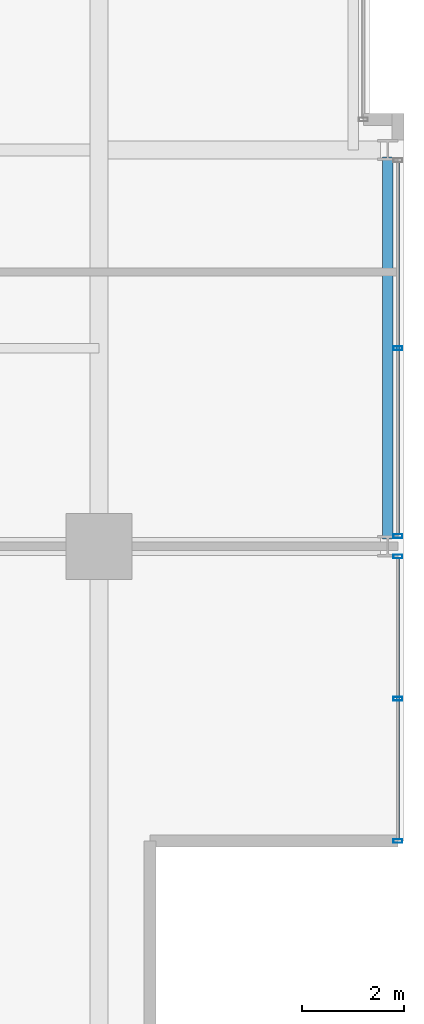
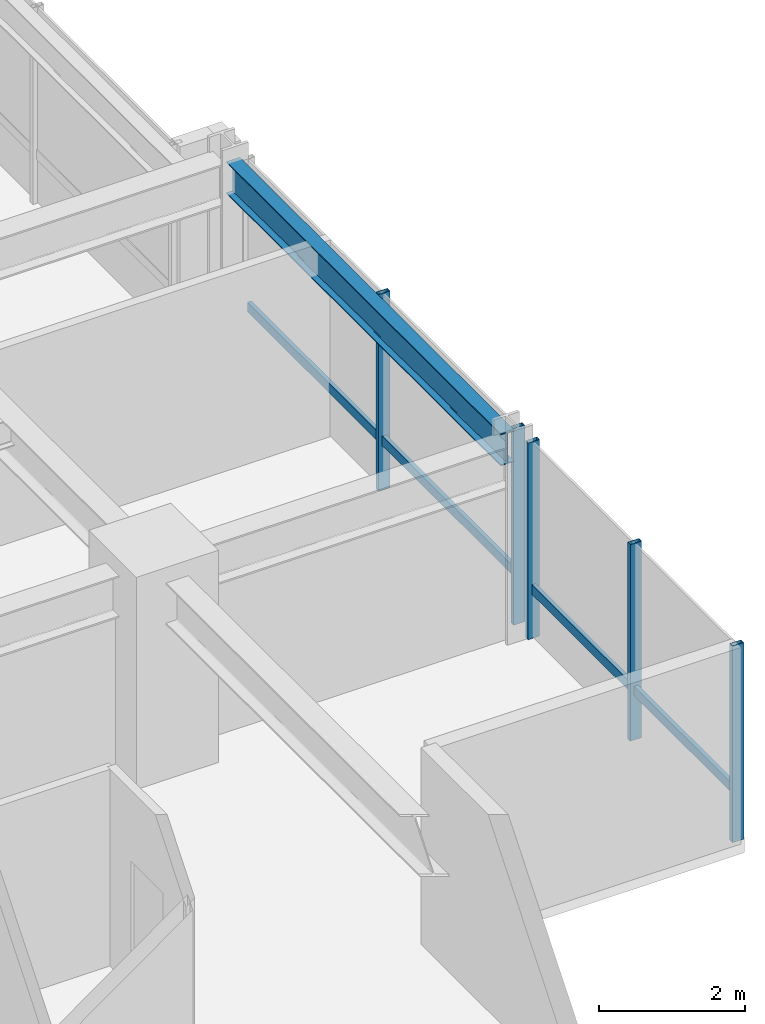
# One storey, part 13 of 33: 7 members, 1 beam, 2 elements without a shape of their own.
"""IFC4 building model written with IfcOpenShell, lengths in metres."""

from ifc_helpers import new_model, si_unit, direction, frame, origin, origin_2d, place, context, subcontext, project, spatial, hollow_rectangle, i_section, extrude, material, layer, layer_set, material_profile, profile_set, type_object, element, aggregate, save


model = new_model("IFC4")

# Units and contexts
model_context = context("Model", 3, precision=1e-05, world=origin(), true_north=direction((0.0, 1.0)))
body_context = subcontext(model_context, "Body", "Model", "MODEL_VIEW")
ifc_project = project(units=[si_unit("LENGTHUNIT", "METRE"), si_unit("AREAUNIT", "SQUARE_METRE"), si_unit("VOLUMEUNIT", "CUBIC_METRE"), si_unit("PLANEANGLEUNIT", "RADIAN"), si_unit("MASSUNIT", "GRAM", prefix="KILO")], contexts=[model_context])

# Site, building, storey
site_placement = place(None, origin())
site = spatial("IfcSite", under=ifc_project, at=site_placement, CompositionType="ELEMENT")
building_placement = place(site_placement, origin())
building = spatial("IfcBuilding", under=site, at=building_placement, Name="Drelvath Grand Hotel", CompositionType="ELEMENT")
storey_placement = place(building_placement, frame((0.0, 0.0, 171.699951171875)))
storey = spatial("IfcBuildingStorey", under=building, at=storey_placement, Name="L44", CompositionType="ELEMENT", Elevation=171.699951171875)

# Curtain wall, member
ifc_material_1 = material(Name="Brushed Pale-Silver Anodised Aluminium Frame", Category="aluminium")
ifc_layer = layer(ifc_material_1, 0.199951171875)
ifc_layer_set = layer_set([ifc_layer], Name="Brushed Pale-Silver Anodised Aluminium Frame")
curtain_wall_type = type_object("IfcCurtainWallType", Name="Stick Curtain Wall CW-04 Brushed Silver Upper-Mid", PredefinedType="NOTDEFINED", material=ifc_layer_set)
curtain_wall_1_placement = place(storey_placement, origin())
curtain_wall_1 = element("IfcCurtainWall", 1, at=curtain_wall_1_placement, inside=storey, type_object=curtain_wall_type, Name="L44 CW-04 Curtain Wall CW04-L44-ES1", PredefinedType="NOTDEFINED")
ifc_material_profile_1 = material_profile(ifc_material_1, hollow_rectangle(XDim=0.06494140625, YDim=0.159912109375, WallThickness=0.00390625, at=origin_2d()), Name="HSS160X65X4")
ifc_profile_set_1 = profile_set([ifc_material_profile_1], Name="Brushed Pale-Silver Anodised Aluminium Frame")
member_type_1 = type_object("IfcMemberType", Name="Curtain Wall Horizontal Transom CW-04 HSS160X65X4", PredefinedType="USERDEFINED", material=ifc_profile_set_1)
member_1_placement = place(storey_placement, frame((22.080078125, 10.559814453125, 0.822509765625), z_axis=(0.0, -1.0, 0.0), x_axis=(1.0, 0.0, 0.0)))
member_1 = element("IfcMember", 2, at=member_1_placement, type_object=member_type_1, Name="CW04-L44-ES1 Sill Transom", ObjectType="TRANSOM", PredefinedType="USERDEFINED", context=body_context, shape_type="SweptSolid", body=[
    extrude(hollow_rectangle(XDim=0.06494140625, YDim=0.159912109375, WallThickness=0.00390625, at=origin_2d()), origin(), (0.0, 0.0, 1.0), 5.519775390625),
])

curtain_wall_2_placement = place(storey_placement, origin())
curtain_wall_2 = element("IfcCurtainWall", 3, at=curtain_wall_2_placement, inside=storey, type_object=curtain_wall_type, Name="L44 CW-04 Curtain Wall CW04-L44-ES2", PredefinedType="NOTDEFINED")
member_2_placement = place(storey_placement, frame((22.080078125, 18.360107421875, 0.822509765625), z_axis=(0.0, -1.0, 0.0), x_axis=(1.0, 0.0, 0.0)))
member_2 = element("IfcMember", 4, at=member_2_placement, type_object=member_type_1, Name="CW04-L44-ES2 Sill Transom", ObjectType="TRANSOM", PredefinedType="USERDEFINED", context=body_context, shape_type="SweptSolid", body=[
    extrude(hollow_rectangle(XDim=0.06494140625, YDim=0.159912109375, WallThickness=0.00390625, at=origin_2d()), origin(), (0.0, 0.0, 1.0), 7.320068359375),
])

# Member
ifc_material_profile_2 = material_profile(ifc_material_1, hollow_rectangle(XDim=0.074951171875, YDim=0.179931640625, WallThickness=0.0048828125, at=origin_2d()), Name="HSS180X75X5")
ifc_profile_set_2 = profile_set([ifc_material_profile_2], Name="Brushed Pale-Silver Anodised Aluminium Frame")
member_type_2 = type_object("IfcMemberType", Name="Curtain Wall Vertical Mullion CW-04 HSS180X75X5", PredefinedType="MULLION", material=ifc_profile_set_2)
member_3_placement = place(storey_placement, frame((22.080078125, 10.599853515625, 0.0), z_axis=(0.0, 0.0, 1.0), x_axis=(0.0, 1.0, 0.0)))
member_3 = element("IfcMember", 5, at=member_3_placement, type_object=member_type_2, Name="CW04-L44-ES1 Mullion 1", PredefinedType="MULLION", context=body_context, shape_type="SweptSolid", body=[
    extrude(hollow_rectangle(XDim=0.074951171875, YDim=0.179931640625, WallThickness=0.0048828125, at=origin_2d()), origin(), (0.0, 0.0, 1.0), 3.2900390625),
])

member_4_placement = place(storey_placement, frame((22.080078125, 7.7998046875, 0.0), z_axis=(0.0, 0.0, 1.0), x_axis=(0.0, 1.0, 0.0)))
member_4 = element("IfcMember", 6, at=member_4_placement, type_object=member_type_2, Name="CW04-L44-ES1 Mullion 2", PredefinedType="MULLION", context=body_context, shape_type="SweptSolid", body=[
    extrude(hollow_rectangle(XDim=0.074951171875, YDim=0.179931640625, WallThickness=0.0048828125, at=origin_2d()), origin(), (0.0, 0.0, 1.0), 3.2900390625),
])

member_5_placement = place(storey_placement, frame((22.080078125, 5.0, 0.0), z_axis=(0.0, 0.0, 1.0), x_axis=(0.0, 1.0, 0.0)))
member_5 = element("IfcMember", 7, at=member_5_placement, type_object=member_type_2, Name="CW04-L44-ES1 Mullion 3", PredefinedType="MULLION", context=body_context, shape_type="SweptSolid", body=[
    extrude(hollow_rectangle(XDim=0.074951171875, YDim=0.179931640625, WallThickness=0.0048828125, at=origin_2d()), origin(), (0.0, 0.0, 1.0), 3.2900390625),
])

aggregate(curtain_wall_1, [member_3, member_4, member_5, member_1])

member_6_placement = place(storey_placement, frame((22.080078125, 14.699951171875, 0.0), z_axis=(0.0, 0.0, 1.0), x_axis=(0.0, 1.0, 0.0)))
member_6 = element("IfcMember", 8, at=member_6_placement, type_object=member_type_2, Name="CW04-L44-ES2 Mullion 2", PredefinedType="MULLION", context=body_context, shape_type="SweptSolid", body=[
    extrude(hollow_rectangle(XDim=0.074951171875, YDim=0.179931640625, WallThickness=0.0048828125, at=origin_2d()), origin(), (0.0, 0.0, 1.0), 3.2900390625),
])

member_7_placement = place(storey_placement, frame((22.080078125, 11.0, 0.0), z_axis=(0.0, 0.0, 1.0), x_axis=(0.0, 1.0, 0.0)))
member_7 = element("IfcMember", 9, at=member_7_placement, type_object=member_type_2, Name="CW04-L44-ES2 Mullion 3", PredefinedType="MULLION", context=body_context, shape_type="SweptSolid", body=[
    extrude(hollow_rectangle(XDim=0.074951171875, YDim=0.179931640625, WallThickness=0.0048828125, at=origin_2d()), origin(), (0.0, 0.0, 1.0), 3.2900390625),
])

aggregate(curtain_wall_2, [member_6, member_7, member_2])

# Beam
ifc_material_2 = material(Name="Steel ASTM A992 Gr 50", Category="steel")
ifc_material_profile_3 = material_profile(ifc_material_2, i_section(OverallWidth=0.210205078125, OverallDepth=0.53662109375, WebThickness=0.010986328125, FlangeThickness=0.017333984375, FilletRadius=0.01806640625, at=origin_2d()), Name="W21X68")
ifc_profile_set_3 = profile_set([ifc_material_profile_3], Name="Steel ASTM A992 Gr 50")
beam_type = type_object("IfcBeamType", Name="Perimeter Spandrel Beam W21X68", PredefinedType="SPANDREL", material=ifc_profile_set_3)
beam_placement = place(storey_placement, frame((21.8798828125, 10.93994140625, 3.021728515625), z_axis=(0.0, 1.0, 0.0), x_axis=(-1.0, 0.0, 0.0)))
element("IfcBeam", 10, at=beam_placement, inside=storey, type_object=beam_type, Name="L44 Spandrel East S", PredefinedType="SPANDREL", context=body_context, shape_type="SweptSolid", body=[
    extrude(i_section(OverallWidth=0.210205078125, OverallDepth=0.53662109375, WebThickness=0.010986328125, FlangeThickness=0.017333984375, FilletRadius=0.01806640625, at=origin_2d()), origin(), (0.0, 0.0, 1.0), 7.52001953125),
])

save(model, "model.ifc")
